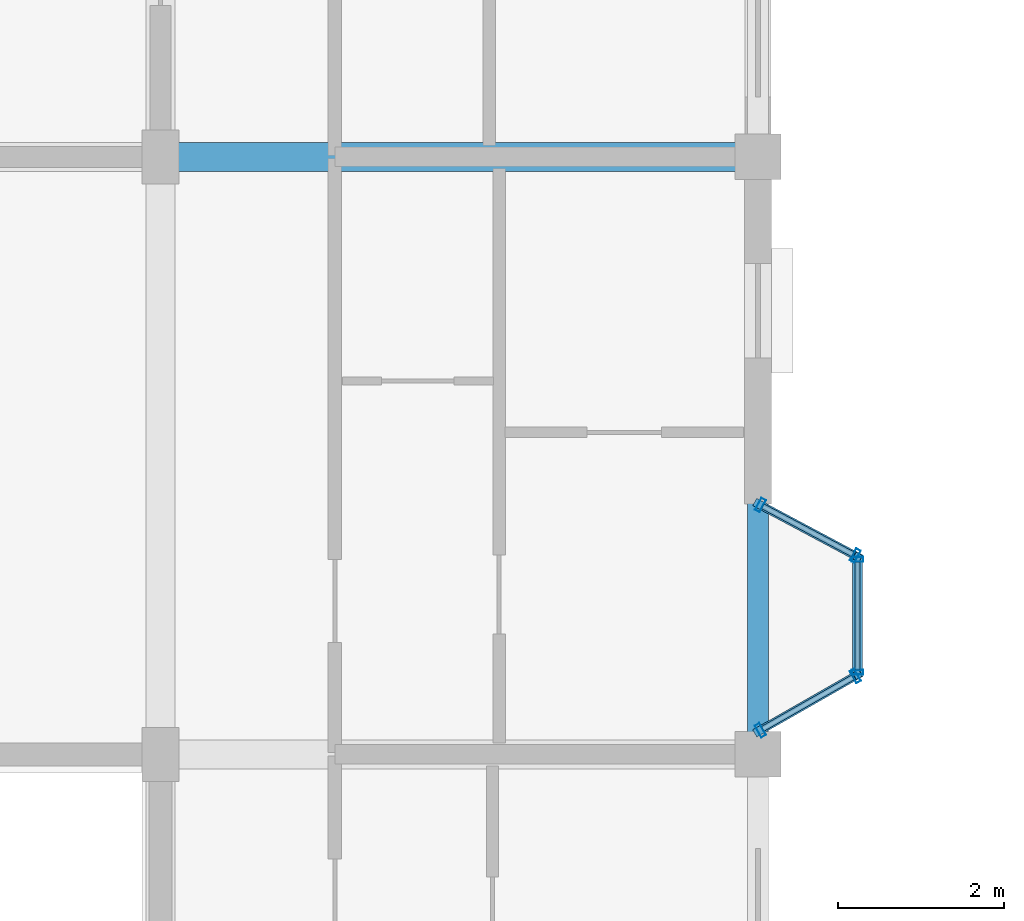
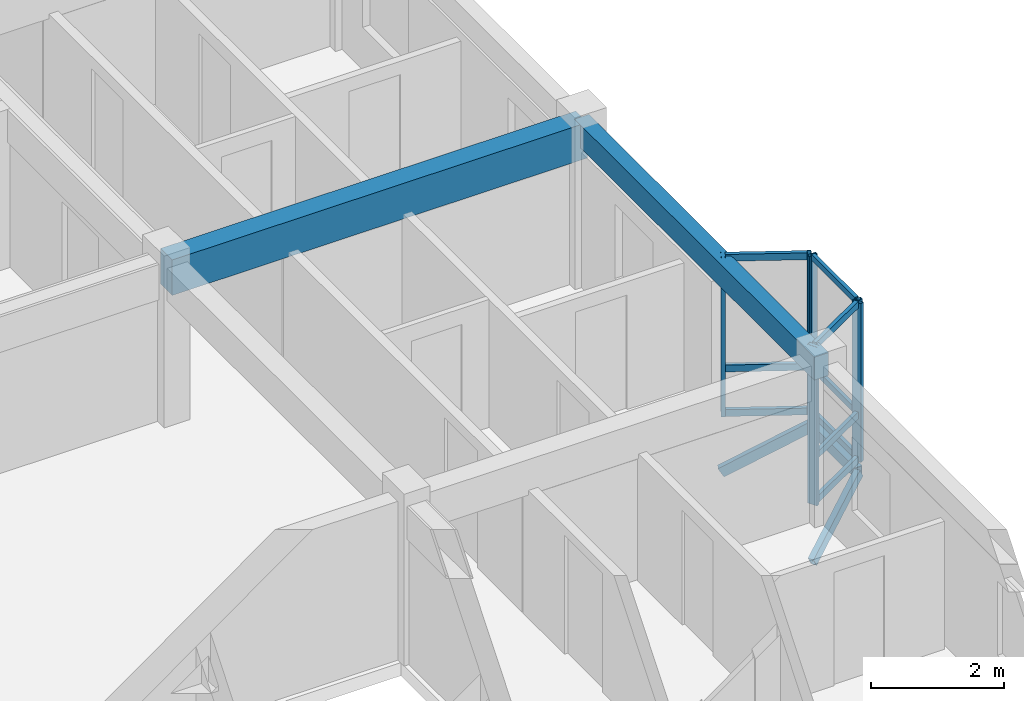
# One storey, part 19 of 77: 18 members, 2 beams, 3 elements without a shape of their own.
"""IFC4 building model written with IfcOpenShell, lengths in metres."""

import ifcopenshell
import ifcopenshell.guid

model = None  # the IFC model being written
_history = None  # IfcOwnerHistory: only IFC2X3 demands one
_inside = {}  # id of a spatial element -> (the spatial element, [elements in it])
_under = {}  # id of a project, library or spatial element -> (it, [spatial elements below it])
_declared = {}  # id of a project -> (the project, [libraries it declares])
_typed = {}  # id of a type object -> (the type object, [elements of that type])
_made_of = {}  # id of a material, layer set ... -> (it, [elements and type objects made of it])


def new_model(schema):
    """Start an empty IFC model of exactly this schema.

    Asked for "IFC4X3", IfcOpenShell would pick the latest addendum, in which some entities
    have other attributes; the version numbers below select the first issue.
    IFC2X3 requires an IfcOwnerHistory on every rooted entity: one is made here for all.
    """
    global model, _history
    if schema == "IFC4X3":
        model = ifcopenshell.file(schema_version=(4, 3, 0, 0))
    else:
        model = ifcopenshell.file(schema=schema)
    _inside.clear()
    _under.clear()
    _declared.clear()
    _typed.clear()
    _made_of.clear()
    _history = None
    if model.schema == "IFC2X3":
        org = make("IfcOrganization", Name="unknown")
        user = make(
            "IfcPersonAndOrganization",
            ThePerson=make("IfcPerson", FamilyName="unknown"),
            TheOrganization=org,
        )
        app = make(
            "IfcApplication",
            ApplicationDeveloper=org,
            Version="unknown",
            ApplicationFullName="unknown",
            ApplicationIdentifier="unknown",
        )
        _history = make(
            "IfcOwnerHistory",
            OwningUser=user,
            OwningApplication=app,
            ChangeAction="ADDED",
            CreationDate=0,
        )
    return model


def make(cls, **values):
    """One entity of the class cls with the attributes given. An attribute that is None is left unset."""
    return model.create_entity(
        cls, **{name: value for name, value in values.items() if value is not None}
    )


def rooted(cls, **values):
    """An entity with a GlobalId (a new one), such as an element, a storey or a relation."""
    return make(cls, GlobalId=ifcopenshell.guid.new(), OwnerHistory=_history, **values)


def si_unit(unit_type, name, prefix=None):
    """IfcSIUnit, for example si_unit("LENGTHUNIT", "METRE", prefix="MILLI")."""
    return make("IfcSIUnit", UnitType=unit_type, Prefix=prefix, Name=name)


def assignment(units):
    """IfcUnitAssignment: the units of a project."""
    return None if units is None else make("IfcUnitAssignment", Units=units)


def point(xyz):
    """IfcCartesianPoint."""
    return None if xyz is None else make("IfcCartesianPoint", Coordinates=xyz)


def direction(xyz):
    """IfcDirection."""
    return None if xyz is None else make("IfcDirection", DirectionRatios=xyz)


def frame(location, z_axis=None, x_axis=None):
    """IfcAxis2Placement3D, a coordinate frame: its origin and axes. An axis left out is left unset."""
    return make(
        "IfcAxis2Placement3D",
        Location=point(location),
        Axis=direction(z_axis),
        RefDirection=direction(x_axis),
    )


def frame_2d(location, x_axis=None):
    """IfcAxis2Placement2D, a coordinate frame in the plane: its origin and x axis."""
    return make(
        "IfcAxis2Placement2D", Location=point(location), RefDirection=direction(x_axis)
    )


def origin():
    """The frame at (0, 0, 0) with its axes left unset."""
    return frame((0.0, 0.0, 0.0))


def origin_2d():
    """The frame at (0, 0) in the plane with its x axis left unset."""
    return frame_2d((0.0, 0.0))


def place(relative_to, where):
    """IfcLocalPlacement: puts the frame where relative to a parent placement (None: the world)."""
    return make(
        "IfcLocalPlacement", PlacementRelTo=relative_to, RelativePlacement=where
    )


def context(
    kind, dimensions, precision=None, world=None, true_north=None, identifier=None
):
    """IfcGeometricRepresentationContext, for example the 3D "Model" context."""
    return make(
        "IfcGeometricRepresentationContext",
        ContextIdentifier=identifier,
        ContextType=kind,
        CoordinateSpaceDimension=dimensions,
        Precision=precision,
        WorldCoordinateSystem=world,
        TrueNorth=true_north,
    )


def subcontext(parent, identifier, kind, view, scale=None):
    """IfcGeometricRepresentationSubContext, for example "Body" below "Model"."""
    return make(
        "IfcGeometricRepresentationSubContext",
        ContextIdentifier=identifier,
        ContextType=kind,
        ParentContext=parent,
        TargetScale=scale,
        TargetView=view,
    )


def project(units=None, contexts=None):
    """IfcProject with its units and contexts."""
    return rooted(
        "IfcProject",
        Name="project",
        RepresentationContexts=contexts,
        UnitsInContext=assignment(units),
    )


def spatial(cls, under=None, at=None, **own):
    """A site, building, storey or space (cls), placed at a placement, below another one or the project."""
    s = rooted(cls, ObjectPlacement=at, **own)
    if under is not None:
        _under.setdefault(under.id(), (under, []))[1].append(s)
    return s


def profile(cls, at=None, kind="AREA", **sizes):
    """A parametric profile (cls). Its sizes go by their IFC names, for example OverallWidth=200.0."""
    return make(cls, ProfileType=kind, Position=at, **sizes)


def rectangle(**sizes):
    """IfcRectangleProfileDef."""
    return profile("IfcRectangleProfileDef", **sizes)


def hollow_rectangle(**sizes):
    """IfcRectangleHollowProfileDef."""
    return profile("IfcRectangleHollowProfileDef", **sizes)


def extrude(swept, where, along, depth):
    """IfcExtrudedAreaSolid: the profile swept, set in the frame where, extruded along a direction by depth."""
    return make(
        "IfcExtrudedAreaSolid",
        SweptArea=swept,
        Position=where,
        ExtrudedDirection=direction(along),
        Depth=depth,
    )


def shape(context_of_items, identifier, shape_type, items):
    """IfcShapeRepresentation: the items that make up one representation, for example the "Body"."""
    return make(
        "IfcShapeRepresentation",
        ContextOfItems=context_of_items,
        RepresentationIdentifier=identifier,
        RepresentationType=shape_type,
        Items=items,
    )


def material(Name=None, Category=None):
    """IfcMaterial."""
    return make("IfcMaterial", Name=Name, Category=Category)


def layer(
    of_material, thickness, ventilated=None, Name=None, Category=None, Priority=None
):
    """IfcMaterialLayer: one layer of a wall or slab, of a material (None: an air gap)."""
    return make(
        "IfcMaterialLayer",
        Material=of_material,
        LayerThickness=thickness,
        IsVentilated=ventilated,
        Name=Name,
        Category=Category,
        Priority=Priority,
    )


def layer_set(layers, Name=None):
    """IfcMaterialLayerSet."""
    return make("IfcMaterialLayerSet", MaterialLayers=layers, LayerSetName=Name)


def material_profile(
    of_material, cross_section, Name=None, Category=None, Priority=None
):
    """IfcMaterialProfile: a cross section and its material."""
    return make(
        "IfcMaterialProfile",
        Name=Name,
        Material=of_material,
        Profile=cross_section,
        Priority=Priority,
        Category=Category,
    )


def profile_set(profiles, Name=None, composite=None):
    """IfcMaterialProfileSet."""
    return make(
        "IfcMaterialProfileSet",
        Name=Name,
        MaterialProfiles=profiles,
        CompositeProfile=composite,
    )


def made_of(thing, what):
    """Note that an element or type object is made of a material, layer set ...; save() writes the relation."""
    if what is not None:
        _made_of.setdefault(what.id(), (what, []))[1].append(thing)
    return thing


def type_object(cls, material=None, **own):
    """A type object (cls), such as IfcWallType, which elements share."""
    return made_of(rooted(cls, **own), material)


def element(
    cls,
    number,
    at=None,
    inside=None,
    cuts=None,
    type_object=None,
    material=None,
    context=None,
    identifier="Body",
    shape_type=None,
    held_by="IfcProductDefinitionShape",
    body=None,
    shapes=None,
    **own,
):
    """One element of the class cls, such as IfcWall. Its Tag is "e" and its number.

    at: its placement. inside: the storey or other place that contains it. cuts: it is an
    opening in that element (IfcRelVoidsElement). A single representation is given by context,
    identifier, shape_type and body (its items); several are given by shapes. held_by: the class
    of the entity that holds the representations. save() writes the other relations.
    """
    e = rooted(cls, Tag="e%d" % number, ObjectPlacement=at, **own)
    if body is not None:
        shapes = [shape(context, identifier, shape_type, body)]
    if shapes is not None:
        e.Representation = make(held_by, Representations=shapes)
    if inside is not None:
        _inside.setdefault(inside.id(), (inside, []))[1].append(e)
    if cuts is not None:
        rooted(
            "IfcRelVoidsElement", RelatingBuildingElement=cuts, RelatedOpeningElement=e
        )
    if type_object is not None:
        _typed.setdefault(type_object.id(), (type_object, []))[1].append(e)
    return made_of(e, material)


def aggregate(whole, parts):
    """IfcRelAggregates: a whole, such as a stair, and the parts it consists of."""
    return rooted("IfcRelAggregates", RelatingObject=whole, RelatedObjects=parts)


def save(model, path):
    """Write the relations noted so far, then the file.

    IfcRelAggregates (storeys below a building ...), IfcRelContainedInSpatialStructure (elements
    in a storey), IfcRelDefinesByType, IfcRelAssociatesMaterial and IfcRelDeclares: one each for
    every whole, place, type object, material and project.
    """
    for whole, parts in _under.values():
        aggregate(whole, parts)
    for where, things in _inside.values():
        rooted(
            "IfcRelContainedInSpatialStructure",
            RelatedElements=things,
            RelatingStructure=where,
        )
    for kind, things in _typed.values():
        rooted("IfcRelDefinesByType", RelatedObjects=things, RelatingType=kind)
    for what, things in _made_of.values():
        rooted("IfcRelAssociatesMaterial", RelatedObjects=things, RelatingMaterial=what)
    for by, libraries in _declared.values():
        rooted("IfcRelDeclares", RelatingContext=by, RelatedDefinitions=libraries)
    model.write(path)


model = new_model("IFC4")

# Units and contexts
model_context = context("Model", 3, precision=1e-05, world=origin(), true_north=direction((0.0, 1.0)))
body_context = subcontext(model_context, "Body", "Model", "MODEL_VIEW")
ifc_project = project(units=[si_unit("LENGTHUNIT", "METRE"), si_unit("AREAUNIT", "SQUARE_METRE"), si_unit("VOLUMEUNIT", "CUBIC_METRE"), si_unit("PLANEANGLEUNIT", "RADIAN"), si_unit("MASSUNIT", "GRAM", prefix="KILO"), si_unit("THERMODYNAMICTEMPERATUREUNIT", "KELVIN"), si_unit("POWERUNIT", "WATT")], contexts=[model_context])

# Site, building, storey
site_placement = place(None, origin())
site = spatial("IfcSite", under=ifc_project, at=site_placement, CompositionType="ELEMENT")
building_placement = place(site_placement, origin())
building = spatial("IfcBuilding", under=site, at=building_placement, Name="Tavuni Mirador Residences", CompositionType="ELEMENT")
storey_placement = place(building_placement, frame((0.0, 0.0, 17.10009765625)))
storey = spatial("IfcBuildingStorey", under=building, at=storey_placement, Name="L05", CompositionType="ELEMENT", Elevation=17.10009765625)

# Beams
ifc_material_1 = material(Name="Precast concrete C40/50", Category="concrete")
ifc_material_profile_1 = material_profile(ifc_material_1, rectangle(XDim=0.35009765625, YDim=0.64990234375, at=origin_2d()), Name="PC 350x650", Category="concrete")
ifc_profile_set_1 = profile_set([ifc_material_profile_1], Name="Precast concrete C40/50")
beam_type_1 = type_object("IfcBeamType", Name="BT-B650", PredefinedType="BEAM", material=ifc_profile_set_1)
beam_1_placement = place(storey_placement, frame((18.0, 86.39990234375, 2.5849609375), z_axis=(1.0, 0.0, 0.0), x_axis=(0.0, 1.0, 0.0)))
element("IfcBeam", 1, at=beam_1_placement, inside=storey, type_object=beam_type_1, Name="BMX-BLK-B-L05-02-03", PredefinedType="BEAM", context=body_context, shape_type="SweptSolid", body=[
    extrude(rectangle(XDim=0.35009765625, YDim=0.64990234375, at=origin_2d()), origin(), (0.0, 0.0, 1.0), 7.199951171875),
])
ifc_material_profile_2 = material_profile(ifc_material_1, rectangle(XDim=0.25, YDim=0.419921875, at=origin_2d()), Name="PC 250x420", Category="concrete")
ifc_profile_set_2 = profile_set([ifc_material_profile_2], Name="Precast concrete C40/50")
beam_type_2 = type_object("IfcBeamType", Name="BT-SP420", PredefinedType="SPANDREL", material=ifc_profile_set_2)
beam_2_placement = place(storey_placement, frame((25.199951171875, 79.199951171875, 2.699951171875), z_axis=(0.0, 1.0, 0.0), x_axis=(-1.0, 0.0, 0.0)))
element("IfcBeam", 2, at=beam_2_placement, inside=storey, type_object=beam_type_2, Name="BMY-BLK-B-L05-03-02", PredefinedType="SPANDREL", context=body_context, shape_type="SweptSolid", body=[
    extrude(rectangle(XDim=0.25, YDim=0.419921875, at=origin_2d()), origin(), (0.0, 0.0, 1.0), 7.199951171875),
])

# Curtain wall, members
ifc_material_2 = material(Name="Anodised aluminium", Category="aluminium")
ifc_layer_1 = layer(ifc_material_2, 0.1650390625, Name="Anodised aluminium", Category="aluminium")
ifc_layer_set_1 = layer_set([ifc_layer_1], Name="Anodised aluminium")
curtain_wall_type_1 = type_object("IfcCurtainWallType", Name="CWT-MIR-A", PredefinedType="NOTDEFINED", material=ifc_layer_set_1)
curtain_wall_1_placement = place(storey_placement, origin())
curtain_wall_1 = element("IfcCurtainWall", 3, at=curtain_wall_1_placement, inside=storey, type_object=curtain_wall_type_1, Name="CW-MIR-B-E2-L05-MF", PredefinedType="NOTDEFINED")
ifc_material_profile_3 = material_profile(ifc_material_2, hollow_rectangle(XDim=0.06005859375, YDim=0.139892578125, WallThickness=0.00390625, at=origin_2d()), Name="ALU 60x140x4.0", Category="aluminium")
ifc_profile_set_3 = profile_set([ifc_material_profile_3], Name="Anodised aluminium")
member_type_1 = type_object("IfcMemberType", Name="CWM-140", PredefinedType="MULLION", material=ifc_profile_set_3)
member_1_placement = place(storey_placement, frame((26.39990234375, 80.18994140625, 0.0), z_axis=(0.0, 0.0, 1.0), x_axis=(0.0, 1.0, 0.0)))
member_1 = element("IfcMember", 4, at=member_1_placement, type_object=member_type_1, Name="CW-01 mullion 1", PredefinedType="MULLION", context=body_context, shape_type="SweptSolid", body=[
    extrude(hollow_rectangle(XDim=0.06005859375, YDim=0.139892578125, WallThickness=0.00390625, at=origin_2d()), origin(), (0.0, 0.0, 1.0), 2.909912109375),
])
member_2_placement = place(storey_placement, frame((26.39990234375, 81.550048828125, 0.0), z_axis=(0.0, 0.0, 1.0), x_axis=(0.0, 1.0, 0.0)))
member_2 = element("IfcMember", 5, at=member_2_placement, type_object=member_type_1, Name="CW-01 mullion 2", PredefinedType="MULLION", context=body_context, shape_type="SweptSolid", body=[
    extrude(hollow_rectangle(XDim=0.06005859375, YDim=0.139892578125, WallThickness=0.00390625, at=origin_2d()), origin(), (0.0, 0.0, 1.0), 2.909912109375),
])

ifc_layer_2 = layer(ifc_material_2, 0.159912109375, Name="Anodised aluminium", Category="aluminium")
ifc_layer_set_2 = layer_set([ifc_layer_2], Name="Anodised aluminium")
curtain_wall_type_2 = type_object("IfcCurtainWallType", Name="CWT-MIR-D", PredefinedType="NOTDEFINED", material=ifc_layer_set_2)
curtain_wall_2_placement = place(storey_placement, origin())
curtain_wall_2 = element("IfcCurtainWall", 6, at=curtain_wall_2_placement, inside=storey, type_object=curtain_wall_type_2, Name="CW-MIR-B-E2-L05-M1", PredefinedType="NOTDEFINED")
ifc_material_profile_4 = material_profile(ifc_material_2, hollow_rectangle(XDim=0.06494140625, YDim=0.1650390625, WallThickness=0.00439453125, at=origin_2d()), Name="ALU 65x165x4.5", Category="aluminium")
ifc_profile_set_4 = profile_set([ifc_material_profile_4], Name="Anodised aluminium")
member_type_2 = type_object("IfcMemberType", Name="CWM-165", PredefinedType="MULLION", material=ifc_profile_set_4)
member_3_placement = place(storey_placement, frame((25.228271484375, 79.4912109375, 0.0), z_axis=(0.0, 0.0, 1.0), x_axis=(0.868465738194, 0.495749192217, 0.0)))
member_3 = element("IfcMember", 7, at=member_3_placement, type_object=member_type_2, Name="CW-04 mullion 1", PredefinedType="MULLION", context=body_context, shape_type="SweptSolid", body=[
    extrude(hollow_rectangle(XDim=0.06494140625, YDim=0.1650390625, WallThickness=0.00439453125, at=origin_2d()), origin(), (0.0, 0.0, 1.0), 2.909912109375),
])
member_4_placement = place(storey_placement, frame((26.371826171875, 80.143798828125, 0.0), z_axis=(0.0, 0.0, 1.0), x_axis=(0.868465738194, 0.495749192217, 0.0)))
member_4 = element("IfcMember", 8, at=member_4_placement, type_object=member_type_2, Name="CW-04 mullion 2", PredefinedType="MULLION", context=body_context, shape_type="SweptSolid", body=[
    extrude(hollow_rectangle(XDim=0.06494140625, YDim=0.1650390625, WallThickness=0.00439453125, at=origin_2d()), origin(), (0.0, 0.0, 1.0), 2.909912109375),
])

ifc_layer_3 = layer(ifc_material_2, 0.14990234375, Name="Anodised aluminium", Category="aluminium")
ifc_layer_set_3 = layer_set([ifc_layer_3], Name="Anodised aluminium")
curtain_wall_type_3 = type_object("IfcCurtainWallType", Name="CWT-MIR-B", PredefinedType="NOTDEFINED", material=ifc_layer_set_3)
curtain_wall_3_placement = place(storey_placement, origin())
curtain_wall_3 = element("IfcCurtainWall", 9, at=curtain_wall_3_placement, inside=storey, type_object=curtain_wall_type_3, Name="CW-MIR-B-E2-L05-M2", PredefinedType="NOTDEFINED")
member_5_placement = place(storey_placement, frame((26.371337890625, 81.59521484375, 0.0), z_axis=(0.0, 0.0, 1.0), x_axis=(-0.882352941175, 0.470588235296, 0.0)))
member_5 = element("IfcMember", 10, at=member_5_placement, type_object=member_type_2, Name="CW-02 mullion 1", PredefinedType="MULLION", context=body_context, shape_type="SweptSolid", body=[
    extrude(hollow_rectangle(XDim=0.06494140625, YDim=0.1650390625, WallThickness=0.00439453125, at=origin_2d()), origin(), (0.0, 0.0, 1.0), 2.909912109375),
])
member_6_placement = place(storey_placement, frame((25.228759765625, 82.20458984375, 0.0), z_axis=(0.0, 0.0, 1.0), x_axis=(-0.882352941175, 0.470588235296, 0.0)))
member_6 = element("IfcMember", 11, at=member_6_placement, type_object=member_type_2, Name="CW-02 mullion 2", PredefinedType="MULLION", context=body_context, shape_type="SweptSolid", body=[
    extrude(hollow_rectangle(XDim=0.06494140625, YDim=0.1650390625, WallThickness=0.00439453125, at=origin_2d()), origin(), (0.0, 0.0, 1.0), 2.909912109375),
])

# Member
ifc_material_profile_5 = material_profile(ifc_material_2, hollow_rectangle(XDim=0.06005859375, YDim=0.110107421875, WallThickness=0.00390625, at=origin_2d()), Name="ALU 60x110x4.0", Category="aluminium")
ifc_profile_set_5 = profile_set([ifc_material_profile_5], Name="Anodised aluminium")
member_type_3 = type_object("IfcMemberType", Name="CWT-110", PredefinedType="USERDEFINED", material=ifc_profile_set_5)
member_7_placement = place(storey_placement, frame((26.39990234375, 80.219970703125, 0.02978515625), z_axis=(0.0, 1.0, 0.0), x_axis=(-1.0, 0.0, 0.0)))
member_7 = element("IfcMember", 12, at=member_7_placement, type_object=member_type_3, Name="CW-01 transom 1.1", ObjectType="TRANSOM", PredefinedType="USERDEFINED", context=body_context, shape_type="SweptSolid", body=[
    extrude(hollow_rectangle(XDim=0.06005859375, YDim=0.110107421875, WallThickness=0.00390625, at=origin_2d()), origin(), (0.0, 0.0, 1.0), 1.300048828125),
])

member_8_placement = place(storey_placement, frame((26.39990234375, 80.219970703125, 0.849853515625), z_axis=(0.0, 1.0, 0.0), x_axis=(-1.0, 0.0, 0.0)))
member_8 = element("IfcMember", 13, at=member_8_placement, type_object=member_type_3, Name="CW-01 transom 1.2", ObjectType="TRANSOM", PredefinedType="USERDEFINED", context=body_context, shape_type="SweptSolid", body=[
    extrude(hollow_rectangle(XDim=0.06005859375, YDim=0.110107421875, WallThickness=0.00390625, at=origin_2d()), origin(), (0.0, 0.0, 1.0), 1.300048828125),
])

member_9_placement = place(storey_placement, frame((26.39990234375, 80.219970703125, 2.8798828125), z_axis=(0.0, 1.0, 0.0), x_axis=(-1.0, 0.0, 0.0)))
member_9 = element("IfcMember", 14, at=member_9_placement, type_object=member_type_3, Name="CW-01 transom 1.3", ObjectType="TRANSOM", PredefinedType="USERDEFINED", context=body_context, shape_type="SweptSolid", body=[
    extrude(hollow_rectangle(XDim=0.06005859375, YDim=0.110107421875, WallThickness=0.00390625, at=origin_2d()), origin(), (0.0, 0.0, 1.0), 1.300048828125),
])

aggregate(curtain_wall_1, [member_1, member_2, member_7, member_8, member_9])

ifc_material_profile_6 = material_profile(ifc_material_2, hollow_rectangle(XDim=0.06494140625, YDim=0.125, WallThickness=0.00439453125, at=origin_2d()), Name="ALU 65x125x4.5", Category="aluminium")
ifc_profile_set_6 = profile_set([ifc_material_profile_6], Name="Anodised aluminium")
member_type_4 = type_object("IfcMemberType", Name="CWT-125", PredefinedType="USERDEFINED", material=ifc_profile_set_6)
member_10_placement = place(storey_placement, frame((25.25634765625, 79.50732421875, 0.032470703125), z_axis=(0.868543055203, 0.495613721822, 0.0), x_axis=(-0.495613721822, 0.868543055203, 0.0)))
member_10 = element("IfcMember", 15, at=member_10_placement, type_object=member_type_4, Name="CW-04 transom 1.1", ObjectType="TRANSOM", PredefinedType="USERDEFINED", context=body_context, shape_type="SweptSolid", body=[
    extrude(hollow_rectangle(XDim=0.06494140625, YDim=0.125, WallThickness=0.00439453125, at=origin_2d()), origin(), (0.0, 0.0, 1.0), 1.251708984375),
])

member_11_placement = place(storey_placement, frame((25.25634765625, 79.50732421875, 0.849853515625), z_axis=(0.868543055203, 0.495613721822, 0.0), x_axis=(-0.495613721822, 0.868543055203, 0.0)))
member_11 = element("IfcMember", 16, at=member_11_placement, type_object=member_type_4, Name="CW-04 transom 1.2", ObjectType="TRANSOM", PredefinedType="USERDEFINED", context=body_context, shape_type="SweptSolid", body=[
    extrude(hollow_rectangle(XDim=0.06494140625, YDim=0.125, WallThickness=0.00439453125, at=origin_2d()), origin(), (0.0, 0.0, 1.0), 1.251708984375),
])

member_12_placement = place(storey_placement, frame((25.25634765625, 79.50732421875, 2.87744140625), z_axis=(0.868543055203, 0.495613721822, 0.0), x_axis=(-0.495613721822, 0.868543055203, 0.0)))
member_12 = element("IfcMember", 17, at=member_12_placement, type_object=member_type_4, Name="CW-04 transom 1.3", ObjectType="TRANSOM", PredefinedType="USERDEFINED", context=body_context, shape_type="SweptSolid", body=[
    extrude(hollow_rectangle(XDim=0.06494140625, YDim=0.125, WallThickness=0.00439453125, at=origin_2d()), origin(), (0.0, 0.0, 1.0), 1.251708984375),
])

aggregate(curtain_wall_2, [member_3, member_4, member_10, member_11, member_12])

member_13_placement = place(storey_placement, frame((26.342529296875, 81.610595703125, 0.032470703125), z_axis=(-0.882325465843, 0.470639747922, 0.0), x_axis=(-0.470639747922, -0.882325465843, 0.0)))
member_13 = element("IfcMember", 18, at=member_13_placement, type_object=member_type_4, Name="CW-02 transom 1.1", ObjectType="TRANSOM", PredefinedType="USERDEFINED", context=body_context, shape_type="SweptSolid", body=[
    extrude(hollow_rectangle(XDim=0.06494140625, YDim=0.125, WallThickness=0.00439453125, at=origin_2d()), origin(), (0.0, 0.0, 1.0), 1.22998046875),
])

member_14_placement = place(storey_placement, frame((26.342529296875, 81.610595703125, 0.849853515625), z_axis=(-0.882325465843, 0.470639747922, 0.0), x_axis=(-0.470639747922, -0.882325465843, 0.0)))
member_14 = element("IfcMember", 19, at=member_14_placement, type_object=member_type_4, Name="CW-02 transom 1.2", ObjectType="TRANSOM", PredefinedType="USERDEFINED", context=body_context, shape_type="SweptSolid", body=[
    extrude(hollow_rectangle(XDim=0.06494140625, YDim=0.125, WallThickness=0.00439453125, at=origin_2d()), origin(), (0.0, 0.0, 1.0), 1.22998046875),
])

member_15_placement = place(storey_placement, frame((26.342529296875, 81.610595703125, 2.87744140625), z_axis=(-0.882325465843, 0.470639747922, 0.0), x_axis=(-0.470639747922, -0.882325465843, 0.0)))
member_15 = element("IfcMember", 20, at=member_15_placement, type_object=member_type_4, Name="CW-02 transom 1.3", ObjectType="TRANSOM", PredefinedType="USERDEFINED", context=body_context, shape_type="SweptSolid", body=[
    extrude(hollow_rectangle(XDim=0.06494140625, YDim=0.125, WallThickness=0.00439453125, at=origin_2d()), origin(), (0.0, 0.0, 1.0), 1.22998046875),
])

aggregate(curtain_wall_3, [member_5, member_6, member_13, member_14, member_15])

# Members
ifc_material_3 = material(Name="Structural steel S355", Category="steel")
ifc_material_profile_7 = material_profile(ifc_material_3, hollow_rectangle(XDim=0.10009765625, YDim=0.179931640625, WallThickness=0.008056640625, at=origin_2d()), Name="RHS 180x100x8.0", Category="steel")
ifc_profile_set_7 = profile_set([ifc_material_profile_7], Name="Structural steel S355")
member_type_5 = type_object("IfcMemberType", Name="MT-BR-RHS180", PredefinedType="BRACE", material=ifc_profile_set_7)
member_16_placement = place(storey_placement, frame((25.199951171875, 79.47509765625, -1.050048828125), z_axis=(0.749231067094, 0.427587618148, 0.505788134408), x_axis=(-0.49566311428, 0.868514868694, 0.0)))
element("IfcMember", 21, at=member_16_placement, inside=storey, type_object=member_type_5, Name="MBRK-MIR-B-E2-L05-1", PredefinedType="BRACE", context=body_context, shape_type="SweptSolid", body=[
    extrude(hollow_rectangle(XDim=0.10009765625, YDim=0.179931640625, WallThickness=0.008056640625, at=origin_2d()), origin(), (0.0, 0.0, 1.0), 1.6015625),
])
member_17_placement = place(storey_placement, frame((25.199951171875, 82.219970703125, -1.050048828125), z_axis=(0.758076235047, -0.404255912931, 0.511759297637), x_axis=(0.47054164445, 0.882377788047, 0.0)))
element("IfcMember", 22, at=member_17_placement, inside=storey, type_object=member_type_5, Name="MBRK-MIR-B-E2-L05-2", PredefinedType="BRACE", context=body_context, shape_type="SweptSolid", body=[
    extrude(hollow_rectangle(XDim=0.10009765625, YDim=0.179931640625, WallThickness=0.008056640625, at=origin_2d()), origin(), (0.0, 0.0, 1.0), 1.5830078125),
])
ifc_material_profile_8 = material_profile(ifc_material_3, hollow_rectangle(XDim=0.1201171875, YDim=0.199951171875, WallThickness=0.010009765625, at=origin_2d()), Name="RHS 200x120x10.0", Category="steel")
ifc_profile_set_8 = profile_set([ifc_material_profile_8], Name="Structural steel S355")
member_type_6 = type_object("IfcMemberType", Name="MT-ST-RHS200", PredefinedType="STRUT", material=ifc_profile_set_8)
member_18_placement = place(storey_placement, frame((26.39990234375, 80.159912109375, -0.239990234375), z_axis=(0.0, 1.0, 0.0), x_axis=(-1.0, 0.0, 0.0)))
element("IfcMember", 23, at=member_18_placement, inside=storey, type_object=member_type_6, Name="MRIM-MIR-B-E2-L05", PredefinedType="STRUT", context=body_context, shape_type="SweptSolid", body=[
    extrude(hollow_rectangle(XDim=0.1201171875, YDim=0.199951171875, WallThickness=0.010009765625, at=origin_2d()), origin(), (0.0, 0.0, 1.0), 1.420166015625),
])

save(model, "model.ifc")
